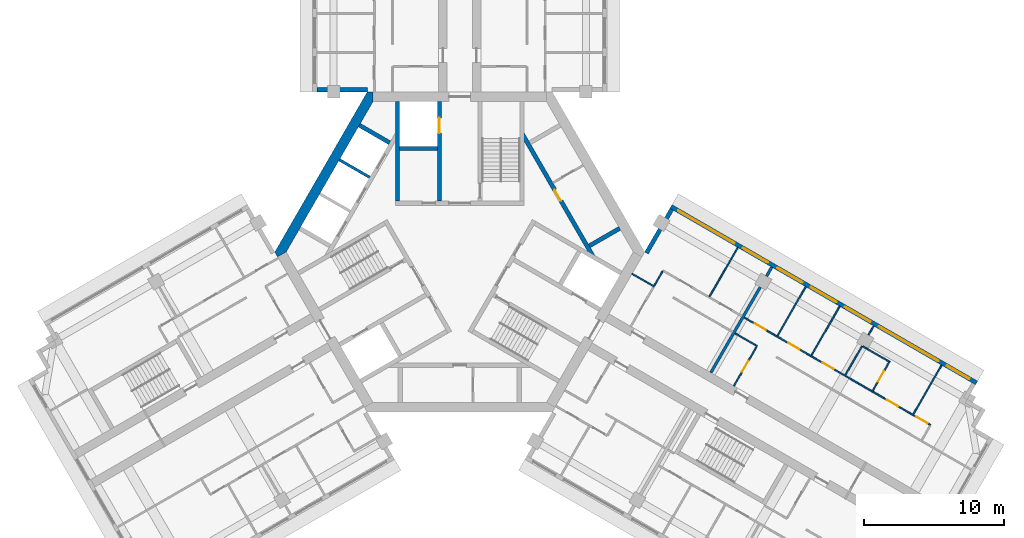
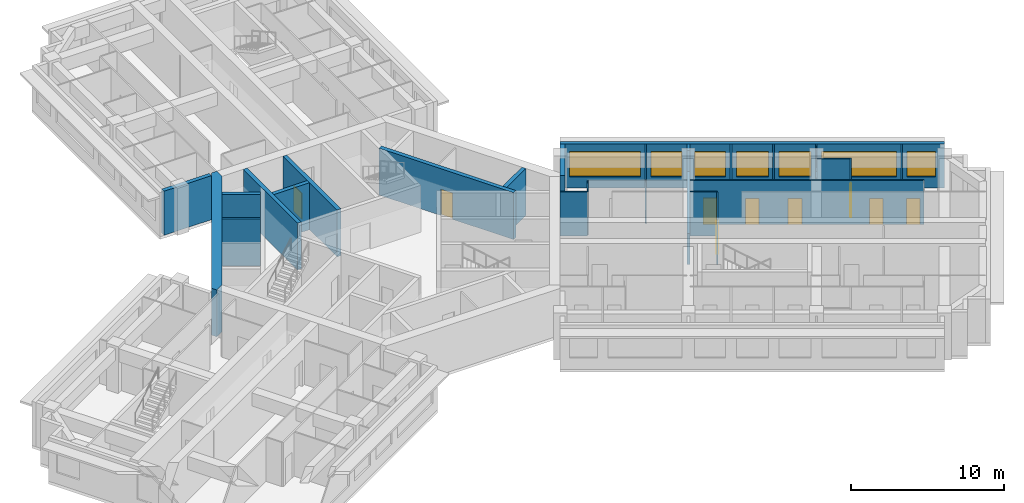
# One storey, part 6 of 10: 26 walls, 9 doors, 7 windows, 16 openings.
"""IFC4 building model written with IfcOpenShell, lengths in metres."""

from ifc_helpers import new_model, si_unit, direction, frame, frame_2d, origin, place, context, subcontext, project, spatial, polyline, rectangle, outline, extrude, material, layer, layer_set, type_object, element, fill, save


model = new_model("IFC4")

# Units and contexts
model_context = context("Model", 3, precision=1e-05, world=origin(), true_north=direction((0.0, 1.0)))
body_context = subcontext(model_context, "Body", "Model", "MODEL_VIEW")
ifc_project = project(units=[si_unit("LENGTHUNIT", "METRE"), si_unit("AREAUNIT", "SQUARE_METRE"), si_unit("VOLUMEUNIT", "CUBIC_METRE"), si_unit("PLANEANGLEUNIT", "RADIAN"), si_unit("MASSUNIT", "GRAM", prefix="KILO")], contexts=[model_context])

# Site, building, storey
site_placement = place(None, origin())
site = spatial("IfcSite", under=ifc_project, at=site_placement, CompositionType="ELEMENT")
building_placement = place(site_placement, origin())
building = spatial("IfcBuilding", under=site, at=building_placement, Name="Impinga Residences", CompositionType="ELEMENT")
storey_placement = place(building_placement, frame((0.0, 0.0, 241.0)))
storey = spatial("IfcBuildingStorey", under=building, at=storey_placement, Name="L60", CompositionType="ELEMENT", Elevation=241.0)

# Walls
ifc_material_1 = material(Name="Terracotta rainscreen on blockwork", Category="masonry")
ifc_layer_1 = layer(ifc_material_1, 0.300048828125)
ifc_layer_set_1 = layer_set([ifc_layer_1], Name="EW1 external wall, terracotta rainscreen on blockwork 300")
wall_type_1 = type_object("IfcWallType", Name="EW1 external wall, terracotta rainscreen on blockwork 300", PredefinedType="SOLIDWALL", material=ifc_layer_set_1)
wall_1_placement = place(storey_placement, frame((-6.60009765625, 11.58154296875, 0.0), z_axis=(0.0, 0.0, 1.0), x_axis=(-1.0, 0.0, 0.0)))
element("IfcWall", 1, at=wall_1_placement, inside=storey, type_object=wall_type_1, Name="External wall EW1 L60", PredefinedType="SOLIDWALL", context=body_context, shape_type="SweptSolid", body=[
    extrude(rectangle(XDim=3.599853515625, YDim=0.300048828125, at=frame_2d((1.7998046875, 0.0))), origin(), (0.0, 0.0, 1.0), 3.530029296875),
])
wall_2_placement = place(storey_placement, frame((13.329833984375, -0.074951171875, 0.0), z_axis=(0.0, 0.0, 1.0), x_axis=(0.500012057535, 0.866018442252, 0.0)))
element("IfcWall", 2, at=wall_2_placement, inside=storey, type_object=wall_type_1, Name="External wall EW1 L60", PredefinedType="SOLIDWALL", context=body_context, shape_type="SweptSolid", body=[
    extrude(rectangle(XDim=3.60009765625, YDim=0.300048828125, at=frame_2d((1.800048828125, 0.0))), origin(), (0.0, 0.0, 1.0), 3.530029296875),
])

# Wall, openings, windows
wall_3_placement = place(storey_placement, frame((15.074951171875, 3.24755859375, 0.0), z_axis=(0.0, 0.0, 1.0), x_axis=(0.86602925447, -0.499993330357, 0.0)))
wall_3 = element("IfcWall", 3, at=wall_3_placement, inside=storey, type_object=wall_type_1, Name="External wall EW1 L60", PredefinedType="SOLIDWALL", context=body_context, shape_type="SweptSolid", body=[
    extrude(rectangle(XDim=25.199951171875, YDim=0.300048828125, at=frame_2d((12.60009765625, 0.0))), origin(), (0.0, 0.0, 1.0), 3.530029296875),
])
opening_1_placement = place(wall_3_placement, frame((0.60009765625, 0.0, 0.89990234375)))
opening_1 = element("IfcOpeningElement", 4, at=opening_1_placement, cuts=wall_3, Name="Opening W10", PredefinedType="OPENING", context=body_context, shape_type="SweptSolid", body=[
    extrude(rectangle(XDim=4.64990234375, YDim=2.050048828125, at=frame_2d((2.324951171875, 1.02490234375))), frame((0.0, 0.159912109375, 0.0), z_axis=(0.0, -1.0, 0.0), x_axis=(1.0, 0.0, 0.0)), (0.0, 0.0, 1.0), 0.320068359375),
])
opening_2_placement = place(wall_3_placement, frame((5.949951171875, 0.0, 0.89990234375)))
opening_2 = element("IfcOpeningElement", 5, at=opening_2_placement, cuts=wall_3, Name="Opening W14", PredefinedType="OPENING", context=body_context, shape_type="SweptSolid", body=[
    extrude(rectangle(XDim=2.050048828125, YDim=2.050048828125, at=frame_2d((1.02490234375, 1.02490234375))), frame((0.0, 0.159912109375, 0.0), z_axis=(0.0, -1.0, 0.0), x_axis=(1.0, 0.0, 0.0)), (0.0, 0.0, 1.0), 0.320068359375),
])
opening_3_placement = place(wall_3_placement, frame((8.800048828125, 0.0, 0.89990234375)))
opening_3 = element("IfcOpeningElement", 6, at=opening_3_placement, cuts=wall_3, Name="Opening W14", PredefinedType="OPENING", context=body_context, shape_type="SweptSolid", body=[
    extrude(rectangle(XDim=2.050048828125, YDim=2.050048828125, at=frame_2d((1.02490234375, 1.02490234375))), frame((0.0, 0.159912109375, 0.0), z_axis=(0.0, -1.0, 0.0), x_axis=(1.0, 0.0, 0.0)), (0.0, 0.0, 1.0), 0.320068359375),
])
opening_4_placement = place(wall_3_placement, frame((11.550048828125, 0.0, 0.89990234375)))
opening_4 = element("IfcOpeningElement", 7, at=opening_4_placement, cuts=wall_3, Name="Opening W9", PredefinedType="OPENING", context=body_context, shape_type="SweptSolid", body=[
    extrude(rectangle(XDim=2.10009765625, YDim=2.050048828125, at=frame_2d((1.050048828125, 1.02490234375))), frame((0.0, 0.159912109375, 0.0), z_axis=(0.0, -1.0, 0.0), x_axis=(1.0, 0.0, 0.0)), (0.0, 0.0, 1.0), 0.320068359375),
])
opening_5_placement = place(wall_3_placement, frame((14.35009765625, 0.0, 0.89990234375)))
opening_5 = element("IfcOpeningElement", 8, at=opening_5_placement, cuts=wall_3, Name="Opening W9", PredefinedType="OPENING", context=body_context, shape_type="SweptSolid", body=[
    extrude(rectangle(XDim=2.10009765625, YDim=2.050048828125, at=frame_2d((1.050048828125, 1.02490234375))), frame((0.0, 0.159912109375, 0.0), z_axis=(0.0, -1.0, 0.0), x_axis=(1.0, 0.0, 0.0)), (0.0, 0.0, 1.0), 0.320068359375),
])
opening_6_placement = place(wall_3_placement, frame((17.14990234375, 0.0, 0.89990234375)))
opening_6 = element("IfcOpeningElement", 9, at=opening_6_placement, cuts=wall_3, Name="Opening W16", PredefinedType="OPENING", context=body_context, shape_type="SweptSolid", body=[
    extrude(rectangle(XDim=4.89990234375, YDim=2.050048828125, at=frame_2d((2.449951171875, 1.02490234375))), frame((0.0, 0.159912109375, 0.0), z_axis=(0.0, -1.0, 0.0), x_axis=(1.0, 0.0, 0.0)), (0.0, 0.0, 1.0), 0.320068359375),
])
opening_7_placement = place(wall_3_placement, frame((22.75, 0.0, 0.89990234375)))
opening_7 = element("IfcOpeningElement", 10, at=opening_7_placement, cuts=wall_3, Name="Opening W15", PredefinedType="OPENING", context=body_context, shape_type="SweptSolid", body=[
    extrude(rectangle(XDim=1.85009765625, YDim=2.050048828125, at=frame_2d((0.925048828125, 1.02490234375))), frame((0.0, 0.159912109375, 0.0), z_axis=(0.0, -1.0, 0.0), x_axis=(1.0, 0.0, 0.0)), (0.0, 0.0, 1.0), 0.320068359375),
])
ifc_material_2 = material(Name="Aluminium window, clear double glazing", Category="aluminium")
window_type_1 = type_object("IfcWindowType", Name="W10 ribbon window 4650x2050", PartitioningType="SINGLE_PANEL", PredefinedType="WINDOW", material=ifc_material_2)
window_1_placement = place(opening_1_placement, origin())
window_1 = element("IfcWindow", 11, at=window_1_placement, inside=storey, type_object=window_type_1, Name="Window L60", OverallHeight=2.050048828125, OverallWidth=4.64990234375, PartitioningType="SINGLE_PANEL", PredefinedType="WINDOW", context=body_context, shape_type="SweptSolid", body=[
    extrude(rectangle(XDim=4.64990234375, YDim=2.050048828125, at=frame_2d((2.324951171875, 1.02490234375))), frame((0.0, 0.030029296875, 0.0), z_axis=(0.0, -1.0, 0.0), x_axis=(1.0, 0.0, 0.0)), (0.0, 0.0, 1.0), 0.06005859375),
])
fill(opening_1, window_1)
window_type_2 = type_object("IfcWindowType", Name="W14 ribbon window 2050x2050", PartitioningType="SINGLE_PANEL", PredefinedType="WINDOW", material=ifc_material_2)
window_2_placement = place(opening_2_placement, origin())
window_2 = element("IfcWindow", 12, at=window_2_placement, inside=storey, type_object=window_type_2, Name="Window L60", OverallHeight=2.050048828125, OverallWidth=2.050048828125, PartitioningType="SINGLE_PANEL", PredefinedType="WINDOW", context=body_context, shape_type="SweptSolid", body=[
    extrude(rectangle(XDim=2.050048828125, YDim=2.050048828125, at=frame_2d((1.02490234375, 1.02490234375))), frame((0.0, 0.030029296875, 0.0), z_axis=(0.0, -1.0, 0.0), x_axis=(1.0, 0.0, 0.0)), (0.0, 0.0, 1.0), 0.06005859375),
])
fill(opening_2, window_2)
window_3_placement = place(opening_3_placement, origin())
window_3 = element("IfcWindow", 13, at=window_3_placement, inside=storey, type_object=window_type_2, Name="Window L60", OverallHeight=2.050048828125, OverallWidth=2.050048828125, PartitioningType="SINGLE_PANEL", PredefinedType="WINDOW", context=body_context, shape_type="SweptSolid", body=[
    extrude(rectangle(XDim=2.050048828125, YDim=2.050048828125, at=frame_2d((1.02490234375, 1.02490234375))), frame((0.0, 0.030029296875, 0.0), z_axis=(0.0, -1.0, 0.0), x_axis=(1.0, 0.0, 0.0)), (0.0, 0.0, 1.0), 0.06005859375),
])
fill(opening_3, window_3)
window_type_3 = type_object("IfcWindowType", Name="W15 ribbon window 1850x2050", PartitioningType="SINGLE_PANEL", PredefinedType="WINDOW", material=ifc_material_2)
window_4_placement = place(opening_7_placement, origin())
window_4 = element("IfcWindow", 14, at=window_4_placement, inside=storey, type_object=window_type_3, Name="Window L60", OverallHeight=2.050048828125, OverallWidth=1.85009765625, PartitioningType="SINGLE_PANEL", PredefinedType="WINDOW", context=body_context, shape_type="SweptSolid", body=[
    extrude(rectangle(XDim=1.85009765625, YDim=2.050048828125, at=frame_2d((0.925048828125, 1.02490234375))), frame((0.0, 0.030029296875, 0.0), z_axis=(0.0, -1.0, 0.0), x_axis=(1.0, 0.0, 0.0)), (0.0, 0.0, 1.0), 0.06005859375),
])
fill(opening_7, window_4)
window_type_4 = type_object("IfcWindowType", Name="W16 ribbon window 4900x2050", PartitioningType="SINGLE_PANEL", PredefinedType="WINDOW", material=ifc_material_2)
window_5_placement = place(opening_6_placement, origin())
window_5 = element("IfcWindow", 15, at=window_5_placement, inside=storey, type_object=window_type_4, Name="Window L60", OverallHeight=2.050048828125, OverallWidth=4.89990234375, PartitioningType="SINGLE_PANEL", PredefinedType="WINDOW", context=body_context, shape_type="SweptSolid", body=[
    extrude(rectangle(XDim=4.89990234375, YDim=2.050048828125, at=frame_2d((2.449951171875, 1.02490234375))), frame((0.0, 0.030029296875, 0.0), z_axis=(0.0, -1.0, 0.0), x_axis=(1.0, 0.0, 0.0)), (0.0, 0.0, 1.0), 0.06005859375),
])
fill(opening_6, window_5)
window_type_5 = type_object("IfcWindowType", Name="W9 ribbon window 2100x2050", PartitioningType="SINGLE_PANEL", PredefinedType="WINDOW", material=ifc_material_2)
window_6_placement = place(opening_4_placement, origin())
window_6 = element("IfcWindow", 16, at=window_6_placement, inside=storey, type_object=window_type_5, Name="Window L60", OverallHeight=2.050048828125, OverallWidth=2.10009765625, PartitioningType="SINGLE_PANEL", PredefinedType="WINDOW", context=body_context, shape_type="SweptSolid", body=[
    extrude(rectangle(XDim=2.10009765625, YDim=2.050048828125, at=frame_2d((1.050048828125, 1.02490234375))), frame((0.0, 0.030029296875, 0.0), z_axis=(0.0, -1.0, 0.0), x_axis=(1.0, 0.0, 0.0)), (0.0, 0.0, 1.0), 0.06005859375),
])
fill(opening_4, window_6)
window_7_placement = place(opening_5_placement, origin())
window_7 = element("IfcWindow", 17, at=window_7_placement, inside=storey, type_object=window_type_5, Name="Window L60", OverallHeight=2.050048828125, OverallWidth=2.10009765625, PartitioningType="SINGLE_PANEL", PredefinedType="WINDOW", context=body_context, shape_type="SweptSolid", body=[
    extrude(rectangle(XDim=2.10009765625, YDim=2.050048828125, at=frame_2d((1.050048828125, 1.02490234375))), frame((0.0, 0.030029296875, 0.0), z_axis=(0.0, -1.0, 0.0), x_axis=(1.0, 0.0, 0.0)), (0.0, 0.0, 1.0), 0.06005859375),
])
fill(opening_5, window_7)

# Walls
ifc_material_3 = material(Name="Gypsum board on steel studs", Category="steel")
ifc_layer_2 = layer(ifc_material_3, 0.10009765625)
ifc_layer_set_2 = layer_set([ifc_layer_2], Name="Gypsum board on steel studs")
wall_type_2 = type_object("IfcWallType", Name="IP1 partition 100", PredefinedType="PARTITIONING", material=ifc_layer_set_2)
wall_4_placement = place(storey_placement, frame((12.300048828125, -1.558837890625, 0.0), z_axis=(0.0, 0.0, 1.0), x_axis=(0.866047807691, -0.499961193289, 0.0)))
element("IfcWall", 18, at=wall_4_placement, inside=storey, type_object=wall_type_2, Name="Partition L60-EA1:DIV0", PredefinedType="PARTITIONING", context=body_context, shape_type="SweptSolid", body=[
    extrude(rectangle(XDim=1.800048828125, YDim=0.10009765625, at=frame_2d((0.89990234375, 0.0))), origin(), (0.0, 0.0, 1.0), 3.530029296875),
])
wall_5_placement = place(storey_placement, frame((13.8837890625, -2.41552734375, 0.0), z_axis=(0.0, 0.0, 1.0), x_axis=(0.500033551112, 0.866006032174, 0.0)))
element("IfcWall", 19, at=wall_5_placement, inside=storey, type_object=wall_type_2, Name="Partition L60-EA1:SE0", PredefinedType="PARTITIONING", context=body_context, shape_type="SweptSolid", body=[
    extrude(rectangle(XDim=1.2001953125, YDim=0.10009765625, at=frame_2d((0.60009765625, 0.0))), origin(), (0.0, 0.0, 1.0), 3.530029296875),
])
wall_6_placement = place(storey_placement, frame((17.82470703125, -3.189697265625, 0.0), z_axis=(0.0, 0.0, 1.0), x_axis=(0.500035537042, 0.866004885491, 0.0)))
element("IfcWall", 20, at=wall_6_placement, inside=storey, type_object=wall_type_2, Name="Partition L60-EA1:OB1", PredefinedType="PARTITIONING", context=body_context, shape_type="SweptSolid", body=[
    extrude(rectangle(XDim=4.050048828125, YDim=0.10009765625, at=frame_2d((2.02490234375, 0.0))), origin(), (0.0, 0.0, 1.0), 3.530029296875),
])
wall_7_placement = place(storey_placement, frame((19.6611328125, -5.808837890625, 0.0), z_axis=(0.0, 0.0, 1.0), x_axis=(0.866047807691, -0.499961193289, 0.0)))
element("IfcWall", 21, at=wall_7_placement, inside=storey, type_object=wall_type_2, Name="Partition L60-EA2:DIV0", PredefinedType="PARTITIONING", context=body_context, shape_type="SweptSolid", body=[
    extrude(rectangle(XDim=1.800048828125, YDim=0.10009765625, at=frame_2d((0.89990234375, 0.0))), origin(), (0.0, 0.0, 1.0), 3.530029296875),
])

# Wall, openings, doors
wall_8_placement = place(storey_placement, frame((20.311279296875, -4.68310546875, 0.0), z_axis=(0.0, 0.0, 1.0), x_axis=(0.866030377306, -0.499991385509, 0.0)))
wall_8 = element("IfcWall", 22, at=wall_8_placement, inside=storey, type_object=wall_type_2, Name="Partition L60-EA2:STRIP", PredefinedType="PARTITIONING", context=body_context, shape_type="SweptSolid", body=[
    extrude(rectangle(XDim=15.349853515625, YDim=0.10009765625, at=frame_2d((7.6748046875, 0.0))), origin(), (0.0, 0.0, 1.0), 3.530029296875),
])
opening_8_placement = place(wall_8_placement, frame((0.875, 0.0, 0.0)))
opening_8 = element("IfcOpeningElement", 23, at=opening_8_placement, cuts=wall_8, Name="Opening D2", PredefinedType="OPENING", context=body_context, shape_type="SweptSolid", body=[
    extrude(rectangle(XDim=0.89990234375, YDim=2.10009765625, at=frame_2d((0.449951171875, 1.050048828125))), frame((0.0, 0.06005859375, 0.0), z_axis=(0.0, -1.0, 0.0), x_axis=(1.0, 0.0, 0.0)), (0.0, 0.0, 1.0), 0.1201171875),
])
opening_9_placement = place(wall_8_placement, frame((3.64990234375, 0.0, 0.0)))
opening_9 = element("IfcOpeningElement", 24, at=opening_9_placement, cuts=wall_8, Name="Opening D2", PredefinedType="OPENING", context=body_context, shape_type="SweptSolid", body=[
    extrude(rectangle(XDim=0.89990234375, YDim=2.10009765625, at=frame_2d((0.449951171875, 1.050048828125))), frame((0.0, 0.06005859375, 0.0), z_axis=(0.0, -1.0, 0.0), x_axis=(1.0, 0.0, 0.0)), (0.0, 0.0, 1.0), 0.1201171875),
])
opening_10_placement = place(wall_8_placement, frame((6.449951171875, 0.0, 0.0)))
opening_10 = element("IfcOpeningElement", 25, at=opening_10_placement, cuts=wall_8, Name="Opening D2", PredefinedType="OPENING", context=body_context, shape_type="SweptSolid", body=[
    extrude(rectangle(XDim=0.89990234375, YDim=2.10009765625, at=frame_2d((0.449951171875, 1.050048828125))), frame((0.0, 0.06005859375, 0.0), z_axis=(0.0, -1.0, 0.0), x_axis=(1.0, 0.0, 0.0)), (0.0, 0.0, 1.0), 0.1201171875),
])
opening_11_placement = place(wall_8_placement, frame((11.77490234375, 0.0, 0.0)))
opening_11 = element("IfcOpeningElement", 26, at=opening_11_placement, cuts=wall_8, Name="Opening D2", PredefinedType="OPENING", context=body_context, shape_type="SweptSolid", body=[
    extrude(rectangle(XDim=0.89990234375, YDim=2.10009765625, at=frame_2d((0.449951171875, 1.050048828125))), frame((0.0, 0.06005859375, 0.0), z_axis=(0.0, -1.0, 0.0), x_axis=(1.0, 0.0, 0.0)), (0.0, 0.0, 1.0), 0.1201171875),
])
opening_12_placement = place(wall_8_placement, frame((14.199951171875, 0.0, 0.0)))
opening_12 = element("IfcOpeningElement", 27, at=opening_12_placement, cuts=wall_8, Name="Opening D2", PredefinedType="OPENING", context=body_context, shape_type="SweptSolid", body=[
    extrude(rectangle(XDim=0.89990234375, YDim=2.10009765625, at=frame_2d((0.449951171875, 1.050048828125))), frame((0.0, 0.06005859375, 0.0), z_axis=(0.0, -1.0, 0.0), x_axis=(1.0, 0.0, 0.0)), (0.0, 0.0, 1.0), 0.1201171875),
])
ifc_material_4 = material(Name="Timber door set", Category="wood")
door_type_1 = type_object("IfcDoorType", Name="D2 internal door 900x2100", OperationType="SINGLE_SWING_LEFT", PredefinedType="DOOR", material=ifc_material_4)
door_1_placement = place(opening_8_placement, origin())
door_1 = element("IfcDoor", 28, at=door_1_placement, inside=storey, type_object=door_type_1, Name="Apartment L60-EA2 room door", OperationType="SINGLE_SWING_LEFT", OverallHeight=2.10009765625, OverallWidth=0.89990234375, PredefinedType="DOOR", context=body_context, shape_type="SweptSolid", body=[
    extrude(rectangle(XDim=0.89990234375, YDim=2.10009765625, at=frame_2d((0.449951171875, 1.050048828125))), frame((0.0, 0.02490234375, 0.0), z_axis=(0.0, -1.0, 0.0), x_axis=(1.0, 0.0, 0.0)), (0.0, 0.0, 1.0), 0.050048828125),
])
fill(opening_8, door_1)
door_2_placement = place(opening_9_placement, origin())
door_2 = element("IfcDoor", 29, at=door_2_placement, inside=storey, type_object=door_type_1, Name="Apartment L60-EA2 room door", OperationType="SINGLE_SWING_LEFT", OverallHeight=2.10009765625, OverallWidth=0.89990234375, PredefinedType="DOOR", context=body_context, shape_type="SweptSolid", body=[
    extrude(rectangle(XDim=0.89990234375, YDim=2.10009765625, at=frame_2d((0.449951171875, 1.050048828125))), frame((0.0, 0.02490234375, 0.0), z_axis=(0.0, -1.0, 0.0), x_axis=(1.0, 0.0, 0.0)), (0.0, 0.0, 1.0), 0.050048828125),
])
fill(opening_9, door_2)
door_3_placement = place(opening_10_placement, origin())
door_3 = element("IfcDoor", 30, at=door_3_placement, inside=storey, type_object=door_type_1, Name="Apartment L60-EA2 room door", OperationType="SINGLE_SWING_LEFT", OverallHeight=2.10009765625, OverallWidth=0.89990234375, PredefinedType="DOOR", context=body_context, shape_type="SweptSolid", body=[
    extrude(rectangle(XDim=0.89990234375, YDim=2.10009765625, at=frame_2d((0.449951171875, 1.050048828125))), frame((0.0, 0.02490234375, 0.0), z_axis=(0.0, -1.0, 0.0), x_axis=(1.0, 0.0, 0.0)), (0.0, 0.0, 1.0), 0.050048828125),
])
fill(opening_10, door_3)
door_4_placement = place(opening_11_placement, origin())
door_4 = element("IfcDoor", 31, at=door_4_placement, inside=storey, type_object=door_type_1, Name="Apartment L60-EA2 room door", OperationType="SINGLE_SWING_RIGHT", OverallHeight=2.10009765625, OverallWidth=0.89990234375, PredefinedType="DOOR", context=body_context, shape_type="SweptSolid", body=[
    extrude(rectangle(XDim=0.89990234375, YDim=2.10009765625, at=frame_2d((0.449951171875, 1.050048828125))), frame((0.0, 0.02490234375, 0.0), z_axis=(0.0, -1.0, 0.0), x_axis=(1.0, 0.0, 0.0)), (0.0, 0.0, 1.0), 0.050048828125),
])
fill(opening_11, door_4)
door_5_placement = place(opening_12_placement, origin())
door_5 = element("IfcDoor", 32, at=door_5_placement, inside=storey, type_object=door_type_1, Name="Apartment L60-EA2 room door", OperationType="SINGLE_SWING_RIGHT", OverallHeight=2.10009765625, OverallWidth=0.89990234375, PredefinedType="DOOR", context=body_context, shape_type="SweptSolid", body=[
    extrude(rectangle(XDim=0.89990234375, YDim=2.10009765625, at=frame_2d((0.449951171875, 1.050048828125))), frame((0.0, 0.02490234375, 0.0), z_axis=(0.0, -1.0, 0.0), x_axis=(1.0, 0.0, 0.0)), (0.0, 0.0, 1.0), 0.050048828125),
])
fill(opening_12, door_5)

# Wall, opening, door
wall_9_placement = place(storey_placement, frame((19.570068359375, -9.566650390625, 0.0), z_axis=(0.0, 0.0, 1.0), x_axis=(0.500017246033, 0.866015446554, 0.0)))
wall_9 = element("IfcWall", 33, at=wall_9_placement, inside=storey, type_object=wall_type_2, Name="Partition L60-EA2:IB1", PredefinedType="PARTITIONING", context=body_context, shape_type="SweptSolid", body=[
    extrude(rectangle(XDim=3.25, YDim=0.10009765625, at=frame_2d((1.625, 0.0))), origin(), (0.0, 0.0, 1.0), 3.530029296875),
])
opening_13_placement = place(wall_9_placement, frame((1.175048828125, 0.0, 0.0)))
opening_13 = element("IfcOpeningElement", 34, at=opening_13_placement, cuts=wall_9, Name="Opening D2", PredefinedType="OPENING", context=body_context, shape_type="SweptSolid", body=[
    extrude(rectangle(XDim=0.89990234375, YDim=2.10009765625, at=frame_2d((0.449951171875, 1.050048828125))), frame((0.0, 0.06005859375, 0.0), z_axis=(0.0, -1.0, 0.0), x_axis=(1.0, 0.0, 0.0)), (0.0, 0.0, 1.0), 0.1201171875),
])
door_6_placement = place(opening_13_placement, origin())
door_6 = element("IfcDoor", 35, at=door_6_placement, inside=storey, type_object=door_type_1, Name="Apartment L60-EA2 bathroom door", OperationType="SINGLE_SWING_LEFT", OverallHeight=2.10009765625, OverallWidth=0.89990234375, PredefinedType="DOOR", context=body_context, shape_type="SweptSolid", body=[
    extrude(rectangle(XDim=0.89990234375, YDim=2.10009765625, at=frame_2d((0.449951171875, 1.050048828125))), frame((0.0, 0.02490234375, 0.0), z_axis=(0.0, -1.0, 0.0), x_axis=(1.0, 0.0, 0.0)), (0.0, 0.0, 1.0), 0.050048828125),
])
fill(opening_13, door_6)

# Walls
for number, where, z_axis, x_axis, name in (
    (36, (22.674560546875, -5.98974609375, 0.0), (0.0, 0.0, 1.0), (0.499990325971, 0.866030989016, 0.0), "Partition L60-EA2:OB1"),
    (37, (25.099365234375, -7.3896484375, 0.0), (0.0, 0.0, 1.0), (0.499990325971, 0.866030989016, 0.0), "Partition L60-EA2:OB2"),
):
    element("IfcWall", number, at=place(storey_placement, frame(where, z_axis=z_axis, x_axis=x_axis)), inside=storey, type_object=wall_type_2, Name=name, PredefinedType="PARTITIONING", context=body_context, shape_type="SweptSolid", body=[
        extrude(rectangle(XDim=4.0498046875, YDim=0.10009765625, at=frame_2d((2.02490234375, 0.0))), origin(), (0.0, 0.0, 1.0), 3.530029296875),
    ])
wall_10_placement = place(storey_placement, frame((27.524169921875, -8.789794921875, 0.0), z_axis=(0.0, 0.0, 1.0), x_axis=(0.499957262057, 0.866050077142, 0.0)))
element("IfcWall", 38, at=wall_10_placement, inside=storey, type_object=wall_type_2, Name="Partition L60-EA2:OB3", PredefinedType="PARTITIONING", context=body_context, shape_type="SweptSolid", body=[
    extrude(rectangle(XDim=2.400146484375, YDim=0.10009765625, at=frame_2d((1.2001953125, 0.0))), origin(), (0.0, 0.0, 1.0), 2.47998046875),
])
wall_11_placement = place(storey_placement, frame((29.17431640625, -5.931884765625, 0.0), z_axis=(0.0, 0.0, 1.0), x_axis=(0.499919672301, 0.866071776036, 0.0)))
element("IfcWall", 39, at=wall_11_placement, inside=storey, type_object=wall_type_2, Name="Partition L60-EA2:OB3b", PredefinedType="PARTITIONING", context=body_context, shape_type="SweptSolid", body=[
    extrude(rectangle(XDim=0.75, YDim=0.10009765625, at=frame_2d((0.375, 0.0))), origin(), (0.0, 0.0, 1.0), 3.530029296875),
])
wall_12_placement = place(storey_placement, frame((32.3740234375, -11.589599609375, 0.0), z_axis=(0.0, 0.0, 1.0), x_axis=(0.499990325971, 0.866030989016, 0.0)))
element("IfcWall", 40, at=wall_12_placement, inside=storey, type_object=wall_type_2, Name="Partition L60-EA2:OB4", PredefinedType="PARTITIONING", context=body_context, shape_type="SweptSolid", body=[
    extrude(rectangle(XDim=4.0498046875, YDim=0.10009765625, at=frame_2d((2.02490234375, 0.0))), origin(), (0.0, 0.0, 1.0), 3.530029296875),
])

# Wall, opening, door
wall_13_placement = place(storey_placement, frame((29.472900390625, -9.914794921875, 0.0), z_axis=(0.0, 0.0, 1.0), x_axis=(0.499943856944, 0.866057815567, 0.0)))
wall_13 = element("IfcWall", 41, at=wall_13_placement, inside=storey, type_object=wall_type_2, Name="Partition L60-EA2:EN1", PredefinedType="PARTITIONING", context=body_context, shape_type="SweptSolid", body=[
    extrude(rectangle(XDim=2.449951171875, YDim=0.10009765625, at=frame_2d((1.22509765625, 0.0))), origin(), (0.0, 0.0, 1.0), 3.530029296875),
])
opening_14_placement = place(wall_13_placement, frame((0.75, 0.0, 0.0)))
opening_14 = element("IfcOpeningElement", 42, at=opening_14_placement, cuts=wall_13, Name="Opening D2", PredefinedType="OPENING", context=body_context, shape_type="SweptSolid", body=[
    extrude(rectangle(XDim=0.89990234375, YDim=2.10009765625, at=frame_2d((0.449951171875, 1.050048828125))), frame((0.0, 0.06005859375, 0.0), z_axis=(0.0, -1.0, 0.0), x_axis=(1.0, 0.0, 0.0)), (0.0, 0.0, 1.0), 0.1201171875),
])
door_7_placement = place(opening_14_placement, origin())
door_7 = element("IfcDoor", 43, at=door_7_placement, inside=storey, type_object=door_type_1, Name="Apartment L60-EA2 en-suite door", OperationType="SINGLE_SWING_LEFT", OverallHeight=2.10009765625, OverallWidth=0.89990234375, PredefinedType="DOOR", context=body_context, shape_type="SweptSolid", body=[
    extrude(rectangle(XDim=0.89990234375, YDim=2.10009765625, at=frame_2d((0.449951171875, 1.050048828125))), frame((0.0, 0.02490234375, 0.0), z_axis=(0.0, -1.0, 0.0), x_axis=(1.0, 0.0, 0.0)), (0.0, 0.0, 1.0), 0.050048828125),
])
fill(opening_14, door_7)

# Walls
wall_14_placement = place(storey_placement, frame((28.767578125, -6.736328125, 0.0), z_axis=(0.0, 0.0, 1.0), x_axis=(0.866019166195, -0.500010803666, 0.0)))
element("IfcWall", 44, at=wall_14_placement, inside=storey, type_object=wall_type_2, Name="Partition L60-EA2:EN2", PredefinedType="PARTITIONING", context=body_context, shape_type="SweptSolid", body=[
    extrude(rectangle(XDim=2.14990234375, YDim=0.10009765625, at=frame_2d((1.074951171875, 0.0))), origin(), (0.0, 0.0, 1.0), 3.530029296875),
])
ifc_material_5 = material(Name="Concrete blockwork", Category="masonry")
ifc_layer_3 = layer(ifc_material_5, 0.199951171875)
ifc_layer_set_3 = layer_set([ifc_layer_3], Name="PW1 party wall between apartments 200")
wall_type_3 = type_object("IfcWallType", Name="PW1 party wall between apartments 200", PredefinedType="SOLIDWALL", material=ifc_layer_set_3)
wall_15_placement = place(storey_placement, frame((17.924560546875, -8.61669921875, 0.0), z_axis=(0.0, 0.0, 1.0), x_axis=(0.500016218704, 0.866016039709, 0.0)))
element("IfcWall", 45, at=wall_15_placement, inside=storey, type_object=wall_type_3, Name="Party wall between apartments L60-EA1:PARTY", PredefinedType="SOLIDWALL", context=body_context, shape_type="SweptSolid", body=[
    extrude(rectangle(XDim=7.050048828125, YDim=0.199951171875, at=frame_2d((3.52490234375, 0.0))), origin(), (0.0, 0.0, 1.0), 2.47998046875),
])
wall_16_placement = place(storey_placement, frame((21.899658203125, -1.73193359375, 0.0), z_axis=(0.0, 0.0, 1.0), x_axis=(0.499919672301, 0.866071776036, 0.0)))
element("IfcWall", 46, at=wall_16_placement, inside=storey, type_object=wall_type_3, Name="Party wall between apartments L60-EA1:PARTYb", PredefinedType="SOLIDWALL", context=body_context, shape_type="SweptSolid", body=[
    extrude(rectangle(XDim=0.75, YDim=0.199951171875, at=frame_2d((0.375, 0.0))), origin(), (0.0, 0.0, 1.0), 3.530029296875),
])
ifc_material_6 = material(Name="Concrete C60/75", Category="concrete")
ifc_layer_4 = layer(ifc_material_6, 0.699951171875)
ifc_layer_set_4 = layer_set([ifc_layer_4], Name="Concrete C60/75")
wall_type_4 = type_object("IfcWallType", Name="SW3 core wall 700", PredefinedType="SHEAR", material=ifc_layer_set_4)
wall_17_placement = place(storey_placement, origin())
element("IfcWall", 47, at=wall_17_placement, inside=storey, type_object=wall_type_4, Name="Core wall SW3 E:EXPOSED L60", PredefinedType="SHEAR", context=body_context, shape_type="SweptSolid", body=[
    extrude(outline(polyline([(-6.60009765625, 11.431640625), (-13.199951171875, 0.0), (-12.998046875, -0.35009765625), (-12.3916015625, 0.0), (-6.19580078125, 10.7314453125), (-6.19580078125, 11.431640625), (-6.60009765625, 11.431640625)])), origin(), (0.0, 0.0, 1.0), 3.75),
])

# Wall, opening, door
ifc_material_7 = material(Name="Concrete C70/85", Category="concrete")
ifc_layer_5 = layer(ifc_material_7, 0.300048828125)
ifc_layer_set_5 = layer_set([ifc_layer_5], Name="Concrete C70/85")
wall_type_5 = type_object("IfcWallType", Name="SW5 core inner wall, stairs, shafts and lobbies 300", PredefinedType="SHEAR", material=ifc_layer_set_5)
wall_18_placement = place(storey_placement, frame((-1.449951171875, 3.6298828125, 0.0), z_axis=(0.0, 0.0, 1.0), x_axis=(0.0, 1.0, 0.0)))
wall_18 = element("IfcWall", 48, at=wall_18_placement, inside=storey, type_object=wall_type_5, Name="Core wall SW5 N:FF-IN L60", PredefinedType="SHEAR", context=body_context, shape_type="SweptSolid", body=[
    extrude(rectangle(XDim=7.1015625, YDim=0.300048828125, at=frame_2d((3.55078125, 0.0))), origin(), (0.0, 0.0, 1.0), 3.75),
])
opening_15_placement = place(wall_18_placement, frame((4.85009765625, 0.0, 0.0)))
opening_15 = element("IfcOpeningElement", 49, at=opening_15_placement, cuts=wall_18, Name="Opening LD2", PredefinedType="OPENING", context=body_context, shape_type="SweptSolid", body=[
    extrude(rectangle(XDim=1.10009765625, YDim=2.10009765625, at=frame_2d((0.550048828125, 1.050048828125))), frame((0.0, 0.159912109375, 0.0), z_axis=(0.0, -1.0, 0.0), x_axis=(1.0, 0.0, 0.0)), (0.0, 0.0, 1.0), 0.320068359375),
])
ifc_material_8 = material(Name="Steel lift landing door", Category="steel")
door_type_2 = type_object("IfcDoorType", Name="LD2 firefighting lift landing door 1100x2100", OperationType="DOUBLE_DOOR_SLIDING", PredefinedType="DOOR", material=ifc_material_8)
door_8_placement = place(opening_15_placement, origin())
door_8 = element("IfcDoor", 50, at=door_8_placement, inside=storey, type_object=door_type_2, Name="Firefighting lift landing door F1", OperationType="DOUBLE_DOOR_SLIDING", OverallHeight=2.10009765625, OverallWidth=1.10009765625, PredefinedType="DOOR", context=body_context, shape_type="SweptSolid", body=[
    extrude(rectangle(XDim=1.10009765625, YDim=2.10009765625, at=frame_2d((0.550048828125, 1.050048828125))), frame((0.0, 0.02490234375, 0.0), z_axis=(0.0, -1.0, 0.0), x_axis=(1.0, 0.0, 0.0)), (0.0, 0.0, 1.0), 0.050048828125),
])
fill(opening_15, door_8)

# Walls
wall_19_placement = place(storey_placement, frame((-4.449951171875, 3.6298828125, 0.0), z_axis=(0.0, 0.0, 1.0), x_axis=(0.0, 1.0, 0.0)))
element("IfcWall", 51, at=wall_19_placement, inside=storey, type_object=wall_type_5, Name="Core wall SW5 N:FF-OUT L60", PredefinedType="SHEAR", context=body_context, shape_type="SweptSolid", body=[
    extrude(rectangle(XDim=7.1015625, YDim=0.300048828125, at=frame_2d((3.55078125, 0.0))), origin(), (0.0, 0.0, 1.0), 3.75),
])
wall_20_placement = place(storey_placement, frame((-4.300048828125, 7.3798828125, 0.0), z_axis=(0.0, 0.0, 1.0), x_axis=(1.0, 0.0, 0.0)))
element("IfcWall", 52, at=wall_20_placement, inside=storey, type_object=wall_type_5, Name="Core wall SW5 N:FF-RS L60", PredefinedType="SHEAR", context=body_context, shape_type="SweptSolid", body=[
    extrude(rectangle(XDim=2.699951171875, YDim=0.300048828125, at=frame_2d((1.35009765625, 0.0))), origin(), (0.0, 0.0, 1.0), 3.75),
])

# Wall, opening, door
wall_21_placement = place(storey_placement, frame((4.449951171875, 8.455322265625, 0.0), z_axis=(0.0, 0.0, 1.0), x_axis=(0.500002290144, -0.866024081565, 0.0)))
wall_21 = element("IfcWall", 53, at=wall_21_placement, inside=storey, type_object=wall_type_5, Name="Core wall SW5 W:BANK-FRONT L60", PredefinedType="SHEAR", context=body_context, shape_type="SweptSolid", body=[
    extrude(rectangle(XDim=10.1953125, YDim=0.300048828125, at=frame_2d((5.09765625, 0.0))), origin(), (0.0, 0.0, 1.0), 3.75),
])
opening_16_placement = place(wall_21_placement, frame((4.647705078125, 0.0, 0.0)))
opening_16 = element("IfcOpeningElement", 54, at=opening_16_placement, cuts=wall_21, Name="Opening D6", PredefinedType="OPENING", context=body_context, shape_type="SweptSolid", body=[
    extrude(rectangle(XDim=0.89990234375, YDim=2.10009765625, at=frame_2d((0.449951171875, 1.050048828125))), frame((0.0, 0.159912109375, 0.0), z_axis=(0.0, -1.0, 0.0), x_axis=(1.0, 0.0, 0.0)), (0.0, 0.0, 1.0), 0.320068359375),
])
door_type_3 = type_object("IfcDoorType", Name="D6 riser and store door 900x2100", OperationType="SINGLE_SWING_LEFT", PredefinedType="DOOR", material=ifc_material_4)
door_9_placement = place(opening_16_placement, origin())
door_9 = element("IfcDoor", 55, at=door_9_placement, inside=storey, type_object=door_type_3, Name="Vending and ice room door", OperationType="SINGLE_SWING_RIGHT", OverallHeight=2.10009765625, OverallWidth=0.89990234375, PredefinedType="DOOR", context=body_context, shape_type="SweptSolid", body=[
    extrude(rectangle(XDim=0.89990234375, YDim=2.10009765625, at=frame_2d((0.449951171875, 1.050048828125))), frame((0.0, 0.02490234375, 0.0), z_axis=(0.0, -1.0, 0.0), x_axis=(1.0, 0.0, 0.0)), (0.0, 0.0, 1.0), 0.050048828125),
])
fill(opening_16, door_9)

# Walls
for number, where, z_axis, x_axis, name in (
    (56, (9.253662109375, 0.43505859375, 0.0), (0.0, 0.0, 1.0), (0.866022959057, 0.500004234368, 0.0), "Core wall SW5 W:BANK-R L60"),
    (57, (-5.003662109375, 7.79638671875, 0.0), (0.0, 0.0, 1.0), (-0.866022959057, 0.500004234368, 0.0), "Core wall SW5 E:BANK-R L60"),
):
    element("IfcWall", number, at=place(storey_placement, frame(where, z_axis=z_axis, x_axis=x_axis)), inside=storey, type_object=wall_type_5, Name=name, PredefinedType="SHEAR", context=body_context, shape_type="SweptSolid", body=[
        extrude(rectangle(XDim=2.5, YDim=0.300048828125, at=frame_2d((1.25, 0.0))), origin(), (0.0, 0.0, 1.0), 3.75),
    ])
ifc_layer_6 = layer(ifc_material_7, 0.199951171875)
ifc_layer_set_6 = layer_set([ifc_layer_6], Name="Concrete C70/85")
wall_type_6 = type_object("IfcWallType", Name="SW6 lift shaft divider wall 200", PredefinedType="SHEAR", material=ifc_layer_set_6)
wall_22_placement = place(storey_placement, frame((-6.4287109375, 5.328125, 0.0), z_axis=(0.0, 0.0, 1.0), x_axis=(-0.866022959057, 0.500004234368, 0.0)))
element("IfcWall", 58, at=wall_22_placement, inside=storey, type_object=wall_type_6, Name="Core wall SW6 E:BANK-D2 L60", PredefinedType="SHEAR", context=body_context, shape_type="SweptSolid", body=[
    extrude(rectangle(XDim=2.5, YDim=0.199951171875, at=frame_2d((1.25, 0.0))), origin(), (0.0, 0.0, 1.0), 3.75),
])

save(model, "model.ifc")
